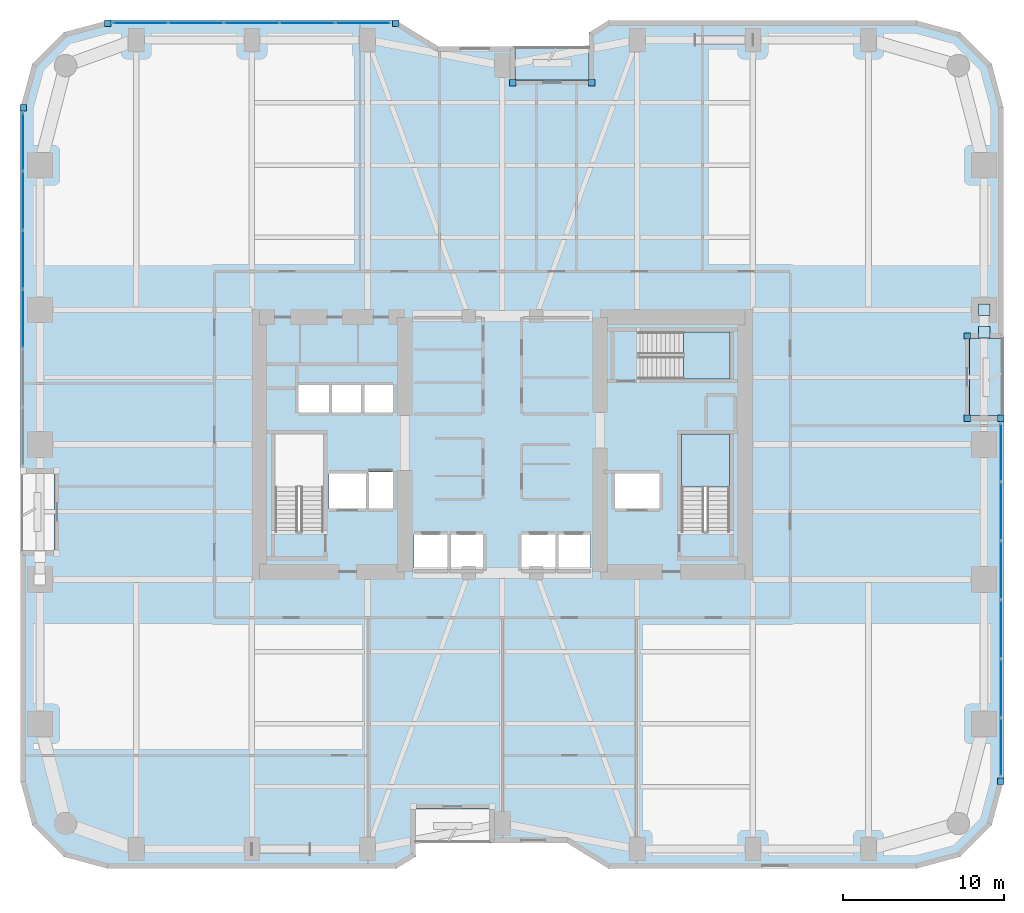
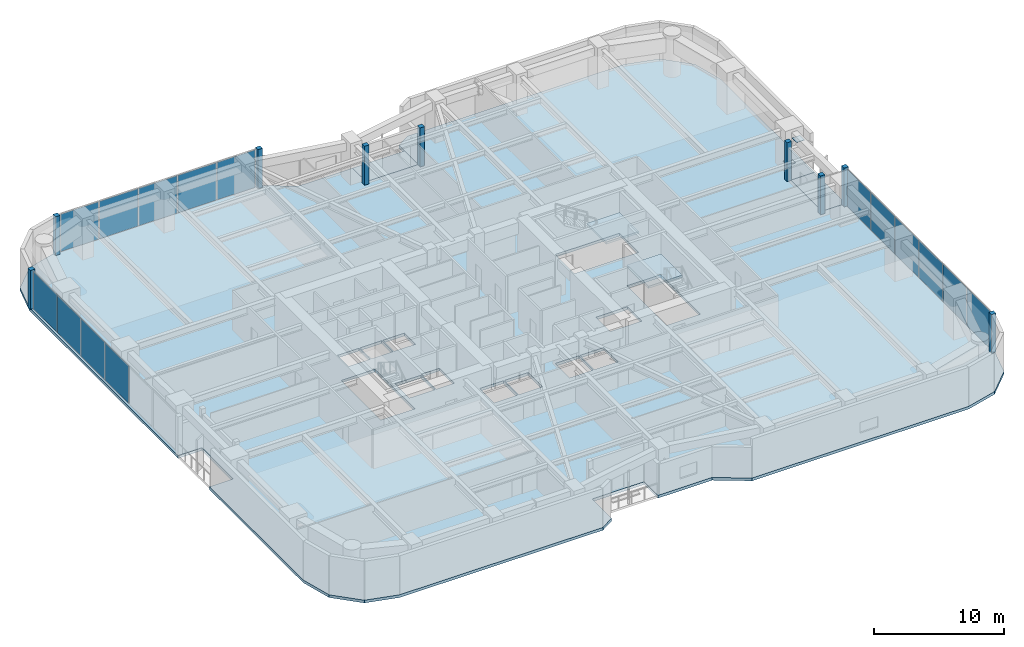
# One storey, part 20 of 28: 26 plates, 5 slabs, 5 elements without a shape of their own.
"""IFC4 building model written with IfcOpenShell, lengths in metres."""

from ifc_helpers import new_model, si_unit, direction, frame, origin, origin_2d, place, context, subcontext, project, spatial, polyline, rectangle, outline, extrude, material, layer, layer_set, type_object, element, aggregate, save


model = new_model("IFC4")

# Units and contexts
model_context = context("Model", 3, precision=1e-05, world=origin(), true_north=direction((0.0, 1.0)))
body_context = subcontext(model_context, "Body", "Model", "MODEL_VIEW")
ifc_project = project(units=[si_unit("LENGTHUNIT", "METRE"), si_unit("AREAUNIT", "SQUARE_METRE"), si_unit("VOLUMEUNIT", "CUBIC_METRE"), si_unit("PLANEANGLEUNIT", "RADIAN"), si_unit("MASSUNIT", "GRAM", prefix="KILO")], contexts=[model_context])

# Site, building, storey
site_placement = place(None, origin())
site = spatial("IfcSite", under=ifc_project, at=site_placement, CompositionType="ELEMENT")
building_placement = place(site_placement, origin())
building = spatial("IfcBuilding", under=site, at=building_placement, Name="Kiyonajd Concourse Tower", CompositionType="ELEMENT")
storey_placement = place(building_placement, frame((0.0, 0.0, 41.10009765625)))
storey = spatial("IfcBuildingStorey", under=building, at=storey_placement, Name="L11", CompositionType="ELEMENT", Elevation=41.10009765625)

# Plates
ifc_material_1 = material(Name="Steel ASTM A572 Grade 50", Category="steel")
ifc_layer_1 = layer(ifc_material_1, 0.028076171875)
ifc_layer_set_1 = layer_set([ifc_layer_1], Name="Steel ASTM A572 Grade 50")
plate_type_1 = type_object("IfcPlateType", Name="PL-CAP-450", PredefinedType="USERDEFINED", material=ifc_layer_set_1)
for number, where, z_axis, x_axis, name in (
    (1, (78.0, 44.40478515625, 0.27587890625), (0.0, 0.0, 1.0), (1.0, 0.0, 0.0), "L11 Hollow Brace End Cap Plate PBE"),
    (2, (78.0, 42.995361328125, 3.28564453125), (0.0, 0.0, 1.0), (1.0, 0.0, 0.0), "L11 Hollow Brace Top Cap Plate PBE"),
):
    element("IfcPlate", number, at=place(storey_placement, frame(where, z_axis=z_axis, x_axis=x_axis)), inside=storey, type_object=plate_type_1, Name=name, ObjectType="CAP PLATE", PredefinedType="USERDEFINED", context=body_context, shape_type="SweptSolid", body=[
        extrude(rectangle(XDim=0.7099609375, YDim=0.7099609375, at=origin_2d()), origin(), (0.0, 0.0, 1.0), 0.028076171875),
    ])

# Curtain wall, plates
ifc_material_2 = material(Name="Thermally Broken Anodised Aluminium", Category="aluminium")
ifc_layer_2 = layer(ifc_material_2, 0.179931640625)
ifc_layer_set_2 = layer_set([ifc_layer_2], Name="Thermally Broken Anodised Aluminium")
curtain_wall_type = type_object("IfcCurtainWallType", Name="CW-SYS-02", PredefinedType="NOTDEFINED", material=ifc_layer_set_2)
curtain_wall_1_placement = place(storey_placement, origin())
curtain_wall_1 = element("IfcCurtainWall", 3, at=curtain_wall_1_placement, inside=storey, type_object=curtain_wall_type, Name="L11 Unitised Curtain Wall CW2", PredefinedType="NOTDEFINED")
ifc_material_3 = material(Name="Double Low-E Insulated Glass", Category="glass")
ifc_layer_3 = layer(ifc_material_3, 0.028076171875)
ifc_layer_set_3 = layer_set([ifc_layer_3], Name="Double Low-E Insulated Glass")
plate_type_2 = type_object("IfcPlateType", Name="PL-CW-VIS28", PredefinedType="CURTAIN_PANEL", material=ifc_layer_set_3)
plate_1_placement = place(storey_placement, frame((18.159912109375, 43.832763671875, 0.06494140625), z_axis=(0.0, 0.0, 1.0), x_axis=(0.0, 1.0, 0.0)))
plate_1 = element("IfcPlate", 4, at=plate_1_placement, type_object=plate_type_2, Name="CW2 panel 3.1", PredefinedType="CURTAIN_PANEL", context=body_context, shape_type="SweptSolid", body=[
    extrude(rectangle(XDim=3.608154296875, YDim=0.028076171875, at=origin_2d()), origin(), (0.0, 0.0, 1.0), 3.510009765625),
])
plate_2_placement = place(storey_placement, frame((18.159912109375, 47.506103515625, 0.06494140625), z_axis=(0.0, 0.0, 1.0), x_axis=(0.0, 1.0, 0.0)))
plate_2 = element("IfcPlate", 5, at=plate_2_placement, type_object=plate_type_2, Name="CW2 panel 4.1", PredefinedType="CURTAIN_PANEL", context=body_context, shape_type="SweptSolid", body=[
    extrude(rectangle(XDim=3.608154296875, YDim=0.028076171875, at=origin_2d()), origin(), (0.0, 0.0, 1.0), 3.510009765625),
])
plate_3_placement = place(storey_placement, frame((18.159912109375, 51.17919921875, 0.06494140625), z_axis=(0.0, 0.0, 1.0), x_axis=(0.0, 1.0, 0.0)))
plate_3 = element("IfcPlate", 6, at=plate_3_placement, type_object=plate_type_2, Name="CW2 panel 5.1", PredefinedType="CURTAIN_PANEL", context=body_context, shape_type="SweptSolid", body=[
    extrude(rectangle(XDim=3.608154296875, YDim=0.028076171875, at=origin_2d()), origin(), (0.0, 0.0, 1.0), 3.510009765625),
])
plate_4_placement = place(storey_placement, frame((18.159912109375, 54.836181640625, 0.06494140625), z_axis=(0.0, 0.0, 1.0), x_axis=(0.0, 1.0, 0.0)))
plate_4 = element("IfcPlate", 7, at=plate_4_placement, type_object=plate_type_2, Name="CW2 panel 6.1", PredefinedType="CURTAIN_PANEL", context=body_context, shape_type="SweptSolid", body=[
    extrude(rectangle(XDim=3.57568359375, YDim=0.028076171875, at=origin_2d()), origin(), (0.0, 0.0, 1.0), 3.510009765625),
])
aggregate(curtain_wall_1, [plate_1, plate_2, plate_3, plate_4])

curtain_wall_2_placement = place(storey_placement, origin())
curtain_wall_2 = element("IfcCurtainWall", 8, at=curtain_wall_2_placement, inside=storey, type_object=curtain_wall_type, Name="L11 Unitised Curtain Wall CW2", PredefinedType="NOTDEFINED")
plate_5_placement = place(storey_placement, frame((25.462646484375, 62.239990234375, 0.06494140625), z_axis=(0.0, 0.0, 1.0), x_axis=(1.0, 0.0, 0.0)))
plate_5 = element("IfcPlate", 9, at=plate_5_placement, type_object=plate_type_2, Name="CW2 panel 1.1", PredefinedType="CURTAIN_PANEL", context=body_context, shape_type="SweptSolid", body=[
    extrude(rectangle(XDim=3.373291015625, YDim=0.028076171875, at=origin_2d()), origin(), (0.0, 0.0, 1.0), 3.510009765625),
])
plate_6_placement = place(storey_placement, frame((28.917236328125, 62.239990234375, 0.06494140625), z_axis=(0.0, 0.0, 1.0), x_axis=(1.0, 0.0, 0.0)))
plate_6 = element("IfcPlate", 10, at=plate_6_placement, type_object=plate_type_2, Name="CW2 panel 2.1", PredefinedType="CURTAIN_PANEL", context=body_context, shape_type="SweptSolid", body=[
    extrude(rectangle(XDim=3.40576171875, YDim=0.028076171875, at=origin_2d()), origin(), (0.0, 0.0, 1.0), 3.510009765625),
])
plate_7_placement = place(storey_placement, frame((32.387939453125, 62.239990234375, 0.06494140625), z_axis=(0.0, 0.0, 1.0), x_axis=(1.0, 0.0, 0.0)))
plate_7 = element("IfcPlate", 11, at=plate_7_placement, type_object=plate_type_2, Name="CW2 panel 3.1", PredefinedType="CURTAIN_PANEL", context=body_context, shape_type="SweptSolid", body=[
    extrude(rectangle(XDim=3.40576171875, YDim=0.028076171875, at=origin_2d()), origin(), (0.0, 0.0, 1.0), 3.510009765625),
])
plate_8_placement = place(storey_placement, frame((35.858642578125, 62.239990234375, 0.06494140625), z_axis=(0.0, 0.0, 1.0), x_axis=(1.0, 0.0, 0.0)))
plate_8 = element("IfcPlate", 12, at=plate_8_placement, type_object=plate_type_2, Name="CW2 panel 4.1", PredefinedType="CURTAIN_PANEL", context=body_context, shape_type="SweptSolid", body=[
    extrude(rectangle(XDim=3.40576171875, YDim=0.028076171875, at=origin_2d()), origin(), (0.0, 0.0, 1.0), 3.510009765625),
])
plate_9_placement = place(storey_placement, frame((39.31298828125, 62.239990234375, 0.06494140625), z_axis=(0.0, 0.0, 1.0), x_axis=(1.0, 0.0, 0.0)))
plate_9 = element("IfcPlate", 13, at=plate_9_placement, type_object=plate_type_2, Name="CW2 panel 5.1", PredefinedType="CURTAIN_PANEL", context=body_context, shape_type="SweptSolid", body=[
    extrude(rectangle(XDim=3.373291015625, YDim=0.028076171875, at=origin_2d()), origin(), (0.0, 0.0, 1.0), 3.510009765625),
])
aggregate(curtain_wall_2, [plate_5, plate_6, plate_7, plate_8, plate_9])

curtain_wall_3_placement = place(storey_placement, origin())
curtain_wall_3 = element("IfcCurtainWall", 14, at=curtain_wall_3_placement, inside=storey, type_object=curtain_wall_type, Name="L11 Unitised Curtain Wall CW2", PredefinedType="NOTDEFINED")
plate_10_placement = place(storey_placement, frame((79.0400390625, 35.4970703125, 0.06494140625), z_axis=(0.0, 0.0, 1.0), x_axis=(0.0, -1.0, 0.0)))
plate_10 = element("IfcPlate", 15, at=plate_10_placement, type_object=plate_type_2, Name="CW2 panel 1.1", PredefinedType="CURTAIN_PANEL", context=body_context, shape_type="SweptSolid", body=[
    extrude(rectangle(XDim=3.57568359375, YDim=0.028076171875, at=origin_2d()), origin(), (0.0, 0.0, 1.0), 3.510009765625),
])
plate_11_placement = place(storey_placement, frame((79.0400390625, 31.84033203125, 0.06494140625), z_axis=(0.0, 0.0, 1.0), x_axis=(0.0, -1.0, 0.0)))
plate_11 = element("IfcPlate", 16, at=plate_11_placement, type_object=plate_type_2, Name="CW2 panel 2.1", PredefinedType="CURTAIN_PANEL", context=body_context, shape_type="SweptSolid", body=[
    extrude(rectangle(XDim=3.608154296875, YDim=0.028076171875, at=origin_2d()), origin(), (0.0, 0.0, 1.0), 3.510009765625),
])
plate_12_placement = place(storey_placement, frame((79.0400390625, 28.167236328125, 0.06494140625), z_axis=(0.0, 0.0, 1.0), x_axis=(0.0, -1.0, 0.0)))
plate_12 = element("IfcPlate", 17, at=plate_12_placement, type_object=plate_type_2, Name="CW2 panel 3.1", PredefinedType="CURTAIN_PANEL", context=body_context, shape_type="SweptSolid", body=[
    extrude(rectangle(XDim=3.608154296875, YDim=0.028076171875, at=origin_2d()), origin(), (0.0, 0.0, 1.0), 3.510009765625),
])
plate_13_placement = place(storey_placement, frame((79.0400390625, 24.493896484375, 0.06494140625), z_axis=(0.0, 0.0, 1.0), x_axis=(0.0, -1.0, 0.0)))
plate_13 = element("IfcPlate", 18, at=plate_13_placement, type_object=plate_type_2, Name="CW2 panel 4.1", PredefinedType="CURTAIN_PANEL", context=body_context, shape_type="SweptSolid", body=[
    extrude(rectangle(XDim=3.608154296875, YDim=0.028076171875, at=origin_2d()), origin(), (0.0, 0.0, 1.0), 3.510009765625),
])
plate_14_placement = place(storey_placement, frame((79.0400390625, 20.82080078125, 0.06494140625), z_axis=(0.0, 0.0, 1.0), x_axis=(0.0, -1.0, 0.0)))
plate_14 = element("IfcPlate", 19, at=plate_14_placement, type_object=plate_type_2, Name="CW2 panel 5.1", PredefinedType="CURTAIN_PANEL", context=body_context, shape_type="SweptSolid", body=[
    extrude(rectangle(XDim=3.608154296875, YDim=0.028076171875, at=origin_2d()), origin(), (0.0, 0.0, 1.0), 3.510009765625),
])
plate_15_placement = place(storey_placement, frame((79.0400390625, 17.163818359375, 0.06494140625), z_axis=(0.0, 0.0, 1.0), x_axis=(0.0, -1.0, 0.0)))
plate_15 = element("IfcPlate", 20, at=plate_15_placement, type_object=plate_type_2, Name="CW2 panel 6.1", PredefinedType="CURTAIN_PANEL", context=body_context, shape_type="SweptSolid", body=[
    extrude(rectangle(XDim=3.57568359375, YDim=0.028076171875, at=origin_2d()), origin(), (0.0, 0.0, 1.0), 3.510009765625),
])
aggregate(curtain_wall_3, [plate_10, plate_11, plate_12, plate_13, plate_14, plate_15])

# Plates
ifc_layer_4 = layer(ifc_material_2, 0.39990234375)
ifc_layer_set_4 = layer_set([ifc_layer_4], Name="Thermally Broken Anodised Aluminium")
plate_type_3 = type_object("IfcPlateType", Name="PL-JMB-400", PredefinedType="USERDEFINED", material=ifc_layer_set_4)
for number, where, z_axis, x_axis, name in (
    (21, (18.159912109375, 56.97900390625, 0.0), (0.0, 0.0, 1.0), (1.0, 0.0, 0.0), "L11 Facade Jamb Closure Plate 04"),
    (22, (23.421142578125, 62.239990234375, 0.0), (0.0, 0.0, 1.0), (1.0, 0.0, 0.0), "L11 Facade Jamb Closure Plate 05"),
    (23, (41.354736328125, 62.239990234375, 0.0), (0.0, 0.0, 1.0), (1.0, 0.0, 0.0), "L11 Facade Jamb Closure Plate 06"),
    (24, (48.639892578125, 58.5400390625, 0.0), (0.0, 0.0, 1.0), (1.0, 0.0, 0.0), "L11 Facade Jamb Closure Plate 07"),
    (25, (53.56005859375, 58.5400390625, 0.0), (0.0, 0.0, 1.0), (1.0, 0.0, 0.0), "L11 Facade Jamb Closure Plate 08"),
    (26, (76.93994140625, 42.760009765625, 0.0), (0.0, 0.0, 1.0), (1.0, 0.0, 0.0), "L11 Facade Jamb Closure Plate 09"),
    (27, (76.93994140625, 37.639892578125, 0.0), (0.0, 0.0, 1.0), (1.0, 0.0, 0.0), "L11 Facade Jamb Closure Plate 10"),
    (28, (79.0400390625, 37.639892578125, 0.0), (0.0, 0.0, 1.0), (1.0, 0.0, 0.0), "L11 Facade Jamb Closure Plate 11"),
    (29, (79.0400390625, 15.02099609375, 0.0), (0.0, 0.0, 1.0), (1.0, 0.0, 0.0), "L11 Facade Jamb Closure Plate 12"),
):
    element("IfcPlate", number, at=place(storey_placement, frame(where, z_axis=z_axis, x_axis=x_axis)), inside=storey, type_object=plate_type_3, Name=name, ObjectType="JAMB PLATE", PredefinedType="USERDEFINED", context=body_context, shape_type="SweptSolid", body=[
        extrude(rectangle(XDim=0.39990234375, YDim=0.39990234375, at=origin_2d()), origin(), (0.0, 0.0, 1.0), 3.639892578125),
    ])

# Stair, slab
ifc_material_4 = material(Name="Concrete C40/50", Category="concrete")
stair_type = type_object("IfcStairType", Name="ST-DLG-22R", PredefinedType="HALF_TURN_STAIR", material=ifc_material_4)
stair_1_placement = place(storey_placement, origin())
stair_1 = element("IfcStair", 30, at=stair_1_placement, inside=storey, type_object=stair_type, Name="L11 Protected Exit Stair ST2", PredefinedType="HALF_TURN_STAIR")
ifc_layer_5 = layer(ifc_material_4, 0.199951171875)
ifc_layer_set_5 = layer_set([ifc_layer_5], Name="Concrete C40/50")
slab_type_1 = type_object("IfcSlabType", Name="SL-LND-200", PredefinedType="LANDING", material=ifc_layer_set_5)
slab_1_placement = place(storey_placement, frame((0.0, 0.0, 1.75)))
slab_1 = element("IfcSlab", 31, at=slab_1_placement, type_object=slab_type_1, Name="ST2 landing 1", PredefinedType="LANDING", context=body_context, shape_type="SweptSolid", body=[
    extrude(outline(polyline([(62.14990234375, 33.35009765625), (62.14990234375, 36.64990234375), (59.14990234375, 36.64990234375), (59.14990234375, 33.35009765625), (62.14990234375, 33.35009765625)])), origin(), (0.0, 0.0, 1.0), 0.199951171875),
])
aggregate(stair_1, [slab_1])

stair_2_placement = place(storey_placement, origin())
stair_2 = element("IfcStair", 32, at=stair_2_placement, inside=storey, type_object=stair_type, Name="L11 Protected Exit Stair ST3", PredefinedType="HALF_TURN_STAIR")
slab_2_placement = place(storey_placement, frame((0.0, 0.0, 1.75)))
slab_2 = element("IfcSlab", 33, at=slab_2_placement, type_object=slab_type_1, Name="ST3 landing 1", PredefinedType="LANDING", context=body_context, shape_type="SweptSolid", body=[
    extrude(outline(polyline([(59.280029296875, 40.080078125), (62.179931640625, 40.080078125), (62.179931640625, 43.02001953125), (59.280029296875, 43.02001953125), (59.280029296875, 40.080078125)])), origin(), (0.0, 0.0, 1.0), 0.199951171875),
])
aggregate(stair_2, [slab_2])

# Slabs
ifc_material_5 = material(Name="Precast concrete C50/60", Category="concrete")
ifc_layer_6 = layer(ifc_material_5, 0.199951171875)
ifc_layer_set_6 = layer_set([ifc_layer_6], Name="Precast concrete C50/60")
slab_type_2 = type_object("IfcSlabType", Name="SL-LOG-200", PredefinedType="FLOOR", material=ifc_layer_set_6)
slab_3_placement = place(storey_placement, frame((0.0, 0.0, -0.2001953125)))
element("IfcSlab", 34, at=slab_3_placement, inside=storey, type_object=slab_type_2, Name="L11 Recessed Engawa Loggia Terrace Slab LOG-N", PredefinedType="FLOOR", context=body_context, shape_type="SweptSolid", body=[
    extrude(outline(polyline([(48.800048828125, 58.699951171875), (53.39990234375, 58.699951171875), (53.39990234375, 60.800048828125), (48.800048828125, 60.800048828125), (48.800048828125, 58.699951171875)])), origin(), (0.0, 0.0, 1.0), 0.2001953125),
])
slab_4_placement = place(storey_placement, frame((0.0, 0.0, -0.2001953125)))
element("IfcSlab", 35, at=slab_4_placement, inside=storey, type_object=slab_type_2, Name="L11 Recessed Engawa Loggia Terrace Slab LOG-E", PredefinedType="FLOOR", context=body_context, shape_type="SweptSolid", body=[
    extrude(outline(polyline([(77.10009765625, 37.800048828125), (79.199951171875, 37.800048828125), (79.199951171875, 42.60009765625), (77.10009765625, 42.60009765625), (77.10009765625, 37.800048828125)])), origin(), (0.0, 0.0, 1.0), 0.2001953125),
])
ifc_layer_7 = layer(ifc_material_4, 0.260009765625)
ifc_layer_set_7 = layer_set([ifc_layer_7], Name="Concrete C40/50")
slab_type_3 = type_object("IfcSlabType", Name="SL-TWR-260", PredefinedType="FLOOR", material=ifc_layer_set_7)
slab_5_placement = place(storey_placement, frame((0.0, 0.0, -0.260009765625)))
element("IfcSlab", 36, at=slab_5_placement, inside=storey, type_object=slab_type_3, Name="L11 Tower Conditioned Floor Slab", PredefinedType="FLOOR", context=body_context, shape_type="SweptSolid", body=[
    extrude(outline(polyline([(18.722900390625, 12.300048828125), (18.0, 15.0), (18.0, 29.39990234375), (20.10009765625, 29.39990234375), (20.10009765625, 34.199951171875), (18.0, 34.199951171875), (18.0, 57.0), (18.722900390625, 59.699951171875), (20.699951171875, 61.677001953125), (23.39990234375, 62.39990234375), (41.39990234375, 62.39990234375), (44.0, 60.800048828125), (48.800048828125, 60.800048828125), (48.800048828125, 58.699951171875), (53.39990234375, 58.699951171875), (53.39990234375, 61.662109375), (54.60009765625, 62.39990234375), (73.800048828125, 62.39990234375), (76.5, 61.677001953125), (78.47705078125, 59.699951171875), (79.199951171875, 57.0), (79.199951171875, 42.60009765625), (77.10009765625, 42.60009765625), (77.10009765625, 37.800048828125), (79.199951171875, 37.800048828125), (79.199951171875, 15.0), (78.47705078125, 12.300048828125), (76.5, 10.322998046875), (73.800048828125, 9.60009765625), (54.60009765625, 9.60009765625), (52.0, 11.199951171875), (47.199951171875, 11.199951171875), (47.199951171875, 13.300048828125), (42.60009765625, 13.300048828125), (42.60009765625, 10.337890625), (41.39990234375, 9.60009765625), (23.39990234375, 9.60009765625), (20.699951171875, 10.322998046875), (18.722900390625, 12.300048828125)]), holes=[polyline([(44.60009765625, 28.199951171875), (42.5, 28.199951171875), (42.5, 30.39990234375), (44.60009765625, 30.39990234375), (44.60009765625, 28.199951171875)]), polyline([(37.199951171875, 32.0), (37.199951171875, 34.199951171875), (39.5, 34.199951171875), (39.5, 32.0), (37.199951171875, 32.0)]), polyline([(39.60009765625, 32.0), (39.60009765625, 34.300048828125), (41.199951171875, 34.300048828125), (41.199951171875, 32.0), (39.60009765625, 32.0)]), polyline([(36.85009765625, 30.550048828125), (33.85009765625, 30.550048828125), (33.85009765625, 36.64990234375), (36.85009765625, 36.64990234375), (36.85009765625, 30.550048828125)]), polyline([(35.300048828125, 38.0), (35.300048828125, 39.699951171875), (37.199951171875, 39.699951171875), (37.199951171875, 38.0), (35.300048828125, 38.0)]), polyline([(37.300048828125, 38.0), (37.300048828125, 39.699951171875), (39.199951171875, 39.699951171875), (39.199951171875, 38.0), (37.300048828125, 38.0)]), polyline([(41.199951171875, 38.0), (39.300048828125, 38.0), (39.300048828125, 39.699951171875), (41.199951171875, 39.699951171875), (41.199951171875, 38.0)]), polyline([(44.699951171875, 28.199951171875), (44.699951171875, 30.39990234375), (46.800048828125, 30.39990234375), (46.800048828125, 28.199951171875), (44.699951171875, 28.199951171875)]), polyline([(49.199951171875, 28.199951171875), (49.199951171875, 30.39990234375), (51.300048828125, 30.39990234375), (51.300048828125, 28.199951171875), (49.199951171875, 28.199951171875)]), polyline([(51.39990234375, 28.199951171875), (51.39990234375, 30.39990234375), (53.5, 30.39990234375), (53.5, 28.199951171875), (51.39990234375, 28.199951171875)]), polyline([(55.0, 32.0), (55.0, 34.199951171875), (57.800048828125, 34.199951171875), (57.800048828125, 32.0), (55.0, 32.0)]), polyline([(59.14990234375, 30.550048828125), (59.14990234375, 36.64990234375), (62.14990234375, 36.64990234375), (62.14990234375, 30.550048828125), (59.14990234375, 30.550048828125)]), polyline([(56.47998046875, 43.02001953125), (62.179931640625, 43.02001953125), (62.179931640625, 40.080078125), (56.47998046875, 40.080078125), (56.47998046875, 43.02001953125)])]), origin(), (0.0, 0.0, 1.0), 0.260009765625),
])

save(model, "model.ifc")
